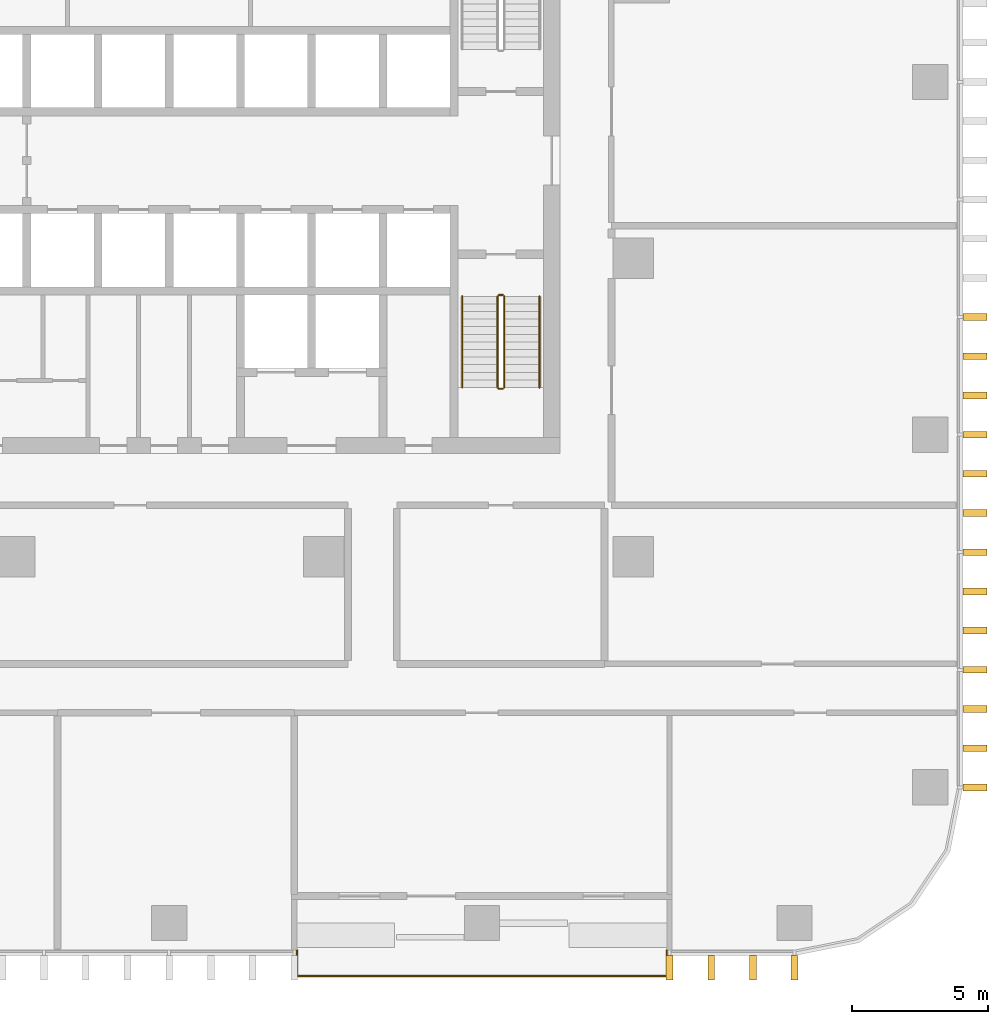
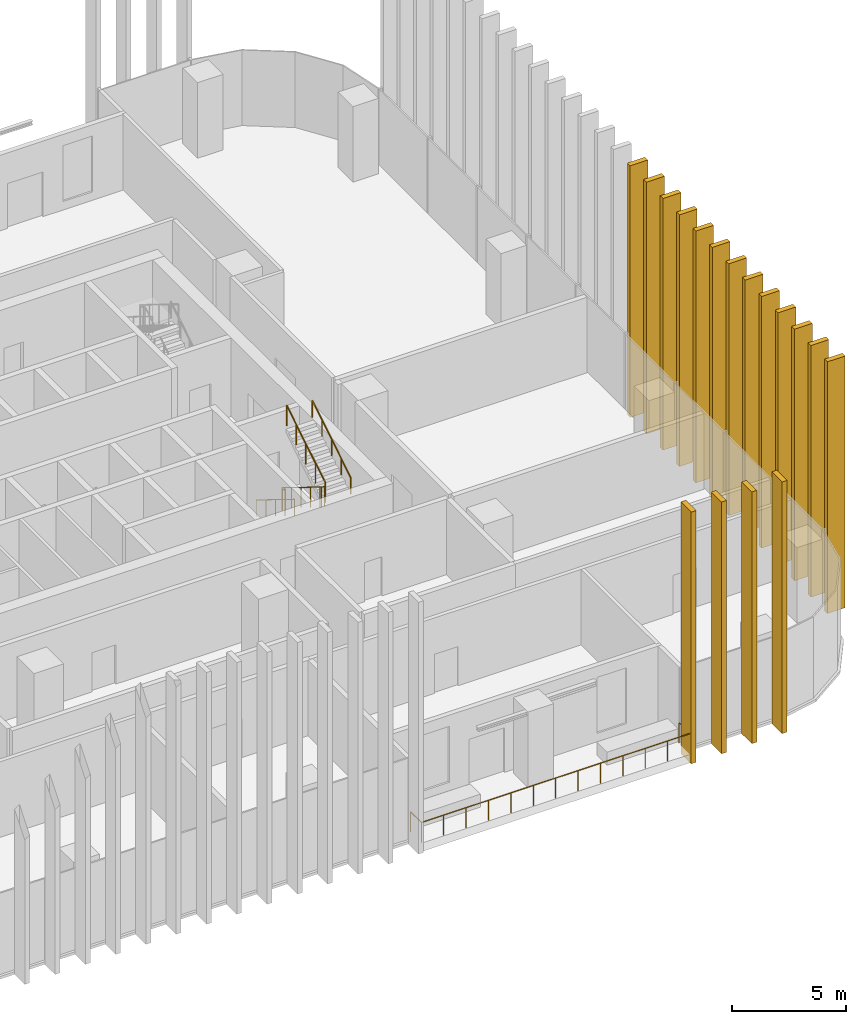
# One storey, part 14 of 17: 17 shading devices, 6 railings.
"""IFC4 building model written with IfcOpenShell, lengths in metres."""

from ifc_helpers import new_model, si_unit, direction, frame, origin, origin_2d, place, context, subcontext, project, spatial, rectangle, circle, extrude, material, type_object, element, save


model = new_model("IFC4")

# Units and contexts
model_context = context("Model", 3, precision=1e-05, world=origin(), true_north=direction((0.0, 1.0)))
body_context = subcontext(model_context, "Body", "Model", "MODEL_VIEW")
ifc_project = project(units=[si_unit("LENGTHUNIT", "METRE"), si_unit("AREAUNIT", "SQUARE_METRE"), si_unit("VOLUMEUNIT", "CUBIC_METRE"), si_unit("PLANEANGLEUNIT", "RADIAN"), si_unit("MASSUNIT", "GRAM", prefix="KILO")], contexts=[model_context])

# Site, building, storey
site_placement = place(None, origin())
site = spatial("IfcSite", under=ifc_project, at=site_placement, CompositionType="ELEMENT")
building_placement = place(site_placement, origin())
building = spatial("IfcBuilding", under=site, at=building_placement, Name="Mopane Tessera Tower", CompositionType="ELEMENT")
storey_placement = place(building_placement, frame((0.0, 0.0, 108.10009765625)))
storey = spatial("IfcBuildingStorey", under=building, at=storey_placement, Name="L21", CompositionType="ELEMENT", Elevation=108.10009765625)

# Shading devices
ifc_material_1 = material(Name="Glazed ceramic tile")
shading_device_type = type_object("IfcShadingDeviceType", Name="Ceramic tile fin 900 x 250 mm", PredefinedType="USERDEFINED", material=ifc_material_1)
for number, where, z_axis, x_axis, name in (
    (1, (18.43994140625, -26.14990234375, -0.4501953125), (0.0, 0.0, 1.0), (1.0, 0.0, 0.0), "e:fin:L21:S:9:0"),
    (2, (19.9765625, -26.14990234375, -0.4501953125), (0.0, 0.0, 1.0), (1.0, 0.0, 0.0), "e:fin:L21:S:9:1"),
    (3, (21.513427734375, -26.14990234375, -0.4501953125), (0.0, 0.0, 1.0), (1.0, 0.0, 0.0), "e:fin:L21:S:9:2"),
    (4, (23.050048828125, -26.14990234375, -0.4501953125), (0.0, 0.0, 1.0), (1.0, 0.0, 0.0), "e:fin:L21:S:9:3"),
    (5, (29.699951171875, -19.5, -0.4501953125), (0.0, 0.0, 1.0), (0.0, 1.0, 0.0), "e:fin:L21:E:0:0"),
    (6, (29.699951171875, -18.0556640625, -0.4501953125), (0.0, 0.0, 1.0), (0.0, 1.0, 0.0), "e:fin:L21:E:0:1"),
    (7, (29.699951171875, -16.611083984375, -0.4501953125), (0.0, 0.0, 1.0), (0.0, 1.0, 0.0), "e:fin:L21:E:0:2"),
    (8, (29.699951171875, -15.166748046875, -0.4501953125), (0.0, 0.0, 1.0), (0.0, 1.0, 0.0), "e:fin:L21:E:1:0"),
    (9, (29.699951171875, -13.72216796875, -0.4501953125), (0.0, 0.0, 1.0), (0.0, 1.0, 0.0), "e:fin:L21:E:1:1"),
    (10, (29.699951171875, -12.27783203125, -0.4501953125), (0.0, 0.0, 1.0), (0.0, 1.0, 0.0), "e:fin:L21:E:1:2"),
    (11, (29.699951171875, -10.833251953125, -0.4501953125), (0.0, 0.0, 1.0), (0.0, 1.0, 0.0), "e:fin:L21:E:2:0"),
    (12, (29.699951171875, -9.388916015625, -0.4501953125), (0.0, 0.0, 1.0), (0.0, 1.0, 0.0), "e:fin:L21:E:2:1"),
    (13, (29.699951171875, -7.9443359375, -0.4501953125), (0.0, 0.0, 1.0), (0.0, 1.0, 0.0), "e:fin:L21:E:2:2"),
    (14, (29.699951171875, -6.5, -0.4501953125), (0.0, 0.0, 1.0), (0.0, 1.0, 0.0), "e:fin:L21:E:3:0"),
    (15, (29.699951171875, -5.0556640625, -0.4501953125), (0.0, 0.0, 1.0), (0.0, 1.0, 0.0), "e:fin:L21:E:3:1"),
    (16, (29.699951171875, -3.611083984375, -0.4501953125), (0.0, 0.0, 1.0), (0.0, 1.0, 0.0), "e:fin:L21:E:3:2"),
    (17, (29.699951171875, -2.166748046875, -0.4501953125), (0.0, 0.0, 1.0), (0.0, 1.0, 0.0), "e:fin:L21:E:4:0"),
):
    element("IfcShadingDevice", number, at=place(storey_placement, frame(where, z_axis=z_axis, x_axis=x_axis)), inside=storey, type_object=shading_device_type, Name=name, ObjectType="FIN", PredefinedType="USERDEFINED", context=body_context, shape_type="SweptSolid", body=[
        extrude(rectangle(XDim=0.25, YDim=0.89990234375, at=origin_2d()), origin(), (0.0, 0.0, 1.0), 13.5),
    ])

# Railings
ifc_material_2 = material(Name="Powder-coated steel balustrade", Category="steel")
railing_type_1 = type_object("IfcRailingType", Name="Escape stair guard 1100 mm", PredefinedType="GUARDRAIL", material=ifc_material_2)
railing_1_placement = place(storey_placement, frame((12.10009765625, -1.39990234375, 0.173095703125)))
element("IfcRailing", 18, at=railing_1_placement, inside=storey, type_object=railing_type_1, Name="L21 ST3 stair guard 1", PredefinedType="GUARDRAIL", context=body_context, shape_type="SweptSolid", body=[
    extrude(circle(Radius=0.02392578125, at=origin_2d()), frame((0.0, 0.0, 1.076171875), z_axis=(0.0, -0.850623216509, 0.525775754039), x_axis=(1.0, 0.0, 0.0)), (0.0, 0.0, 1.0), 3.9501953125),
    extrude(circle(Radius=0.02392578125, at=origin_2d()), frame((0.0, -3.360107421875, 3.15283203125), z_axis=(0.705375805398, -0.708833529934, 0.0), x_axis=(0.708833529934, 0.705375805398, 0.0)), (0.0, 0.0, 1.0), 0.070556640625),
    extrude(circle(Radius=0.02392578125, at=origin_2d()), frame((0.0498046875, -3.41015625, 3.15283203125), z_axis=(1.0, 0.0, 0.0), x_axis=(0.0, 1.0, 0.0)), (0.0, 0.0, 1.0), 0.150146484375),
    extrude(circle(Radius=0.02099609375, at=origin_2d()), origin(), (0.0, 0.0, 1.0), 1.052001953125),
    extrude(circle(Radius=0.02099609375, at=origin_2d()), frame((0.0, -0.840087890625, 0.519287109375)), (0.0, 0.0, 1.0), 1.052001953125),
    extrude(circle(Radius=0.02099609375, at=origin_2d()), frame((0.0, -1.68017578125, 1.03857421875)), (0.0, 0.0, 1.0), 1.052001953125),
    extrude(circle(Radius=0.02099609375, at=origin_2d()), frame((0.0, -2.52001953125, 1.5576171875)), (0.0, 0.0, 1.0), 1.052001953125),
    extrude(circle(Radius=0.02099609375, at=origin_2d()), frame((0.0, -3.360107421875, 2.076904296875)), (0.0, 0.0, 1.0), 1.052001953125),
    extrude(circle(Radius=0.02099609375, at=origin_2d()), frame((0.0498046875, -3.41015625, 2.076904296875)), (0.0, 0.0, 1.0), 1.052001953125),
    extrude(circle(Radius=0.02099609375, at=origin_2d()), frame((0.199951171875, -3.41015625, 2.076904296875)), (0.0, 0.0, 1.0), 1.052001953125),
])
railing_2_placement = place(storey_placement, frame((12.35009765625, -4.760009765625, 2.423095703125)))
element("IfcRailing", 19, at=railing_2_placement, inside=storey, type_object=railing_type_1, Name="L21 ST3 stair guard 2", PredefinedType="GUARDRAIL", context=body_context, shape_type="SweptSolid", body=[
    extrude(circle(Radius=0.02392578125, at=origin_2d()), frame((0.0, 0.0, 1.076171875), z_axis=(0.0, 0.850623216509, 0.525775754039), x_axis=(-1.0, 0.0, 0.0)), (0.0, 0.0, 1.0), 3.9501953125),
    extrude(circle(Radius=0.02099609375, at=origin_2d()), origin(), (0.0, 0.0, 1.0), 1.052001953125),
    extrude(circle(Radius=0.02099609375, at=origin_2d()), frame((0.0, 0.840087890625, 0.519287109375)), (0.0, 0.0, 1.0), 1.052001953125),
    extrude(circle(Radius=0.02099609375, at=origin_2d()), frame((0.0, 1.68017578125, 1.03857421875)), (0.0, 0.0, 1.0), 1.052001953125),
    extrude(circle(Radius=0.02099609375, at=origin_2d()), frame((0.0, 2.52001953125, 1.5576171875)), (0.0, 0.0, 1.0), 1.052001953125),
    extrude(circle(Radius=0.02099609375, at=origin_2d()), frame((0.0, 3.360107421875, 2.076904296875)), (0.0, 0.0, 1.0), 1.052001953125),
])
railing_3_placement = place(storey_placement, frame((12.14990234375, -1.35009765625, 0.0)))
element("IfcRailing", 20, at=railing_3_placement, inside=storey, type_object=railing_type_1, Name="L21 ST3 stair guard 3", PredefinedType="GUARDRAIL", context=body_context, shape_type="SweptSolid", body=[
    extrude(circle(Radius=0.02392578125, at=origin_2d()), frame((0.0, 0.0, 1.076171875), z_axis=(1.0, 0.0, 0.0), x_axis=(0.0, 1.0, 0.0)), (0.0, 0.0, 1.0), 0.150146484375),
    extrude(circle(Radius=0.02099609375, at=origin_2d()), origin(), (0.0, 0.0, 1.0), 1.052001953125),
    extrude(circle(Radius=0.02099609375, at=origin_2d()), frame((0.150146484375, 0.0, 0.0)), (0.0, 0.0, 1.0), 1.052001953125),
])
ifc_material_3 = material(Name="Powder-coated steel balustrade", Category="steel")
railing_type_2 = type_object("IfcRailingType", Name="Escape stair handrail 900 mm", PredefinedType="HANDRAIL", material=ifc_material_3)
railing_4_placement = place(storey_placement, frame((10.800048828125, -1.39990234375, 0.173095703125)))
element("IfcRailing", 21, at=railing_4_placement, inside=storey, type_object=railing_type_2, Name="L21 ST3 stair handrail 1", PredefinedType="HANDRAIL", context=body_context, shape_type="SweptSolid", body=[
    extrude(circle(Radius=0.02392578125, at=origin_2d()), frame((0.0, 0.0, 0.8759765625), z_axis=(0.0, -0.850623216509, 0.525775754039), x_axis=(1.0, 0.0, 0.0)), (0.0, 0.0, 1.0), 3.9501953125),
    extrude(circle(Radius=0.02099609375, at=origin_2d()), origin(), (0.0, 0.0, 1.0), 0.851806640625),
    extrude(circle(Radius=0.02099609375, at=origin_2d()), frame((0.0, -0.840087890625, 0.519287109375)), (0.0, 0.0, 1.0), 0.851806640625),
    extrude(circle(Radius=0.02099609375, at=origin_2d()), frame((0.0, -1.68017578125, 1.03857421875)), (0.0, 0.0, 1.0), 0.851806640625),
    extrude(circle(Radius=0.02099609375, at=origin_2d()), frame((0.0, -2.52001953125, 1.5576171875)), (0.0, 0.0, 1.0), 0.851806640625),
    extrude(circle(Radius=0.02099609375, at=origin_2d()), frame((0.0, -3.360107421875, 2.076904296875)), (0.0, 0.0, 1.0), 0.851806640625),
])
railing_5_placement = place(storey_placement, frame((13.64990234375, -4.760009765625, 2.423095703125)))
element("IfcRailing", 22, at=railing_5_placement, inside=storey, type_object=railing_type_2, Name="L21 ST3 stair handrail 2", PredefinedType="HANDRAIL", context=body_context, shape_type="SweptSolid", body=[
    extrude(circle(Radius=0.02392578125, at=origin_2d()), frame((0.0, 0.0, 0.8759765625), z_axis=(0.0, 0.850623216509, 0.525775754039), x_axis=(-1.0, 0.0, 0.0)), (0.0, 0.0, 1.0), 3.9501953125),
    extrude(circle(Radius=0.02099609375, at=origin_2d()), origin(), (0.0, 0.0, 1.0), 0.851806640625),
    extrude(circle(Radius=0.02099609375, at=origin_2d()), frame((0.0, 0.840087890625, 0.519287109375)), (0.0, 0.0, 1.0), 0.851806640625),
    extrude(circle(Radius=0.02099609375, at=origin_2d()), frame((0.0, 1.68017578125, 1.03857421875)), (0.0, 0.0, 1.0), 0.851806640625),
    extrude(circle(Radius=0.02099609375, at=origin_2d()), frame((0.0, 2.52001953125, 1.5576171875)), (0.0, 0.0, 1.0), 0.851806640625),
    extrude(circle(Radius=0.02099609375, at=origin_2d()), frame((0.0, 3.360107421875, 2.076904296875)), (0.0, 0.0, 1.0), 0.851806640625),
])
ifc_material_4 = material(Name="Stainless steel S316", Category="steel")
railing_type_3 = type_object("IfcRailingType", Name="Terrace guard 1100", PredefinedType="GUARDRAIL", material=ifc_material_4)
railing_6_placement = place(storey_placement, frame((4.7099609375, -25.5, 0.0)))
element("IfcRailing", 23, at=railing_6_placement, inside=storey, type_object=railing_type_3, Name="e:nw:L21:N3:guard", PredefinedType="GUARDRAIL", context=body_context, shape_type="SweptSolid", body=[
    extrude(circle(Radius=0.02392578125, at=origin_2d()), frame((0.0, 0.0, 1.076171875), z_axis=(0.0, -1.0, 0.0), x_axis=(1.0, 0.0, 0.0)), (0.0, 0.0, 1.0), 0.949951171875),
    extrude(circle(Radius=0.02392578125, at=origin_2d()), frame((0.0, -0.949951171875, 1.076171875), z_axis=(1.0, 0.0, 0.0), x_axis=(0.0, 1.0, 0.0)), (0.0, 0.0, 1.0), 13.630126953125),
    extrude(circle(Radius=0.02392578125, at=origin_2d()), frame((13.630126953125, -0.949951171875, 1.076171875), z_axis=(0.0, 1.0, 0.0), x_axis=(-1.0, 0.0, 0.0)), (0.0, 0.0, 1.0), 0.949951171875),
    extrude(circle(Radius=0.02099609375, at=origin_2d()), origin(), (0.0, 0.0, 1.0), 1.052001953125),
    extrude(circle(Radius=0.02099609375, at=origin_2d()), frame((0.0, -0.949951171875, 0.0)), (0.0, 0.0, 1.0), 1.052001953125),
    extrude(circle(Radius=0.02099609375, at=origin_2d()), frame((1.1357421875, -0.949951171875, 0.0)), (0.0, 0.0, 1.0), 1.052001953125),
    extrude(circle(Radius=0.02099609375, at=origin_2d()), frame((2.271728515625, -0.949951171875, 0.0)), (0.0, 0.0, 1.0), 1.052001953125),
    extrude(circle(Radius=0.02099609375, at=origin_2d()), frame((3.407470703125, -0.949951171875, 0.0)), (0.0, 0.0, 1.0), 1.052001953125),
    extrude(circle(Radius=0.02099609375, at=origin_2d()), frame((4.54345703125, -0.949951171875, 0.0)), (0.0, 0.0, 1.0), 1.052001953125),
    extrude(circle(Radius=0.02099609375, at=origin_2d()), frame((5.67919921875, -0.949951171875, 0.0)), (0.0, 0.0, 1.0), 1.052001953125),
    extrude(circle(Radius=0.02099609375, at=origin_2d()), frame((6.81494140625, -0.949951171875, 0.0)), (0.0, 0.0, 1.0), 1.052001953125),
    extrude(circle(Radius=0.02099609375, at=origin_2d()), frame((7.950927734375, -0.949951171875, 0.0)), (0.0, 0.0, 1.0), 1.052001953125),
    extrude(circle(Radius=0.02099609375, at=origin_2d()), frame((9.086669921875, -0.949951171875, 0.0)), (0.0, 0.0, 1.0), 1.052001953125),
    extrude(circle(Radius=0.02099609375, at=origin_2d()), frame((10.22265625, -0.949951171875, 0.0)), (0.0, 0.0, 1.0), 1.052001953125),
    extrude(circle(Radius=0.02099609375, at=origin_2d()), frame((11.3583984375, -0.949951171875, 0.0)), (0.0, 0.0, 1.0), 1.052001953125),
    extrude(circle(Radius=0.02099609375, at=origin_2d()), frame((12.494384765625, -0.949951171875, 0.0)), (0.0, 0.0, 1.0), 1.052001953125),
    extrude(circle(Radius=0.02099609375, at=origin_2d()), frame((13.630126953125, -0.949951171875, 0.0)), (0.0, 0.0, 1.0), 1.052001953125),
    extrude(circle(Radius=0.02099609375, at=origin_2d()), frame((13.630126953125, 0.0, 0.0)), (0.0, 0.0, 1.0), 1.052001953125),
])

save(model, "model.ifc")
